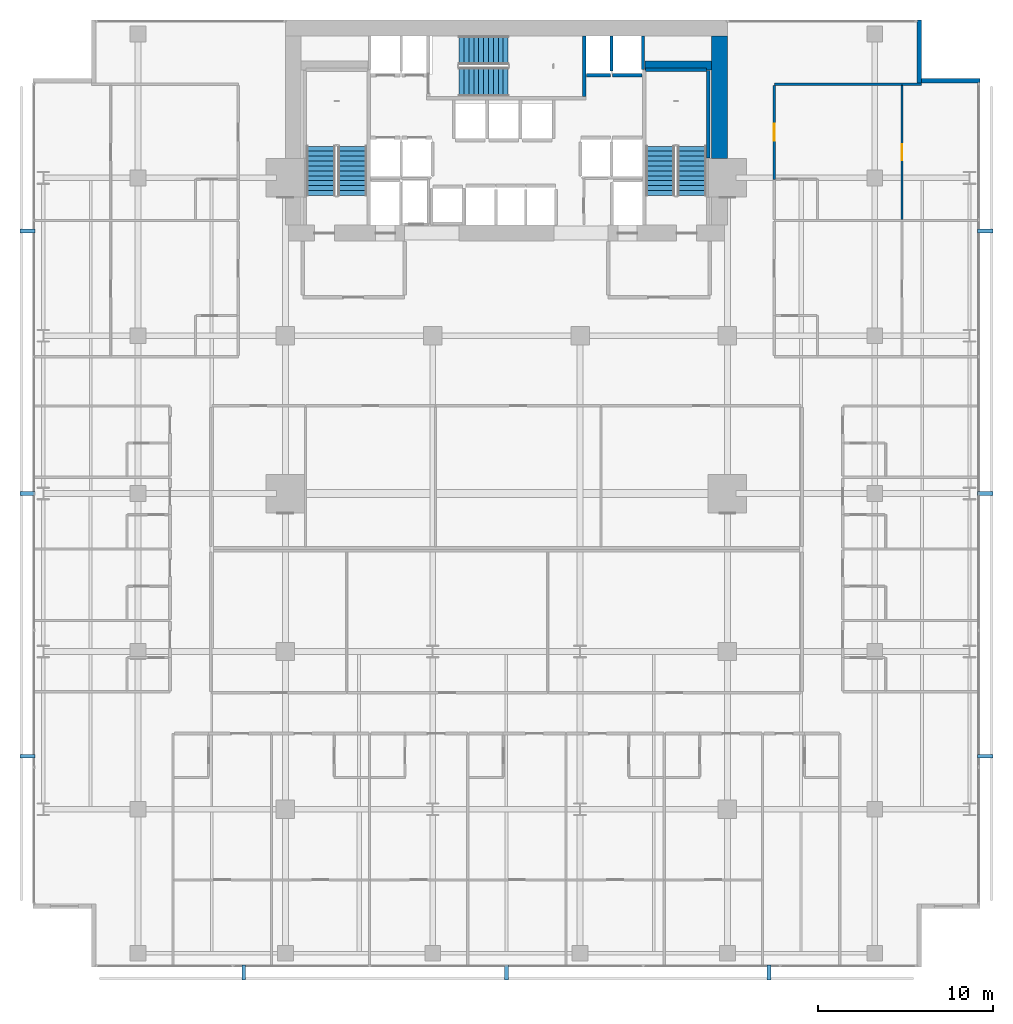
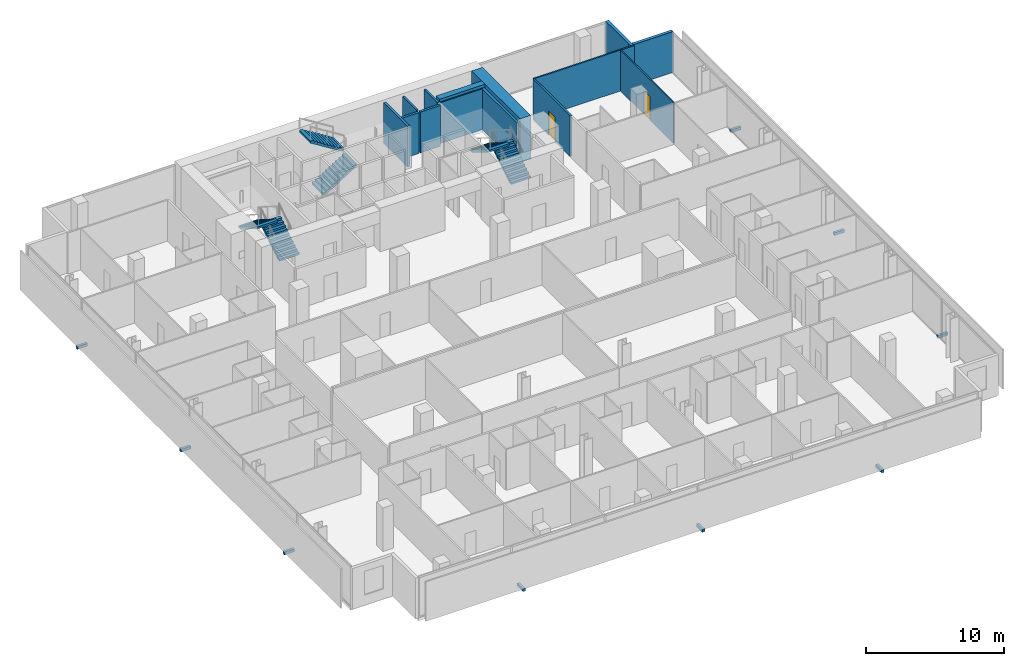
# One storey, part 38 of 40: 14 walls, 9 discrete accessories, 6 stair flights, 2 doors, 2 openings, 3 elements without a shape of their own.
"""IFC4 building model written with IfcOpenShell, lengths in metres."""

from ifc_helpers import new_model, si_unit, direction, frame, frame_2d, origin, origin_2d, place, context, subcontext, project, spatial, polyline, rectangle, outline, extrude, material, layer, layer_set, type_object, element, fill, aggregate, save


model = new_model("IFC4")

# Units and contexts
model_context = context("Model", 3, precision=1e-05, world=origin(), true_north=direction((0.0, 1.0)))
body_context = subcontext(model_context, "Body", "Model", "MODEL_VIEW")
ifc_project = project(units=[si_unit("LENGTHUNIT", "METRE"), si_unit("AREAUNIT", "SQUARE_METRE"), si_unit("VOLUMEUNIT", "CUBIC_METRE"), si_unit("PLANEANGLEUNIT", "RADIAN"), si_unit("MASSUNIT", "GRAM", prefix="KILO")], contexts=[model_context])

# Site, building, storey
site_placement = place(None, origin())
site = spatial("IfcSite", under=ifc_project, at=site_placement, CompositionType="ELEMENT")
building_placement = place(site_placement, origin())
building = spatial("IfcBuilding", under=site, at=building_placement, Name="Maruvema Waterfront Hotel and Observation Tower", CompositionType="ELEMENT")
storey_placement = place(building_placement, frame((0.0, 0.0, 57.75)))
storey = spatial("IfcBuildingStorey", under=building, at=storey_placement, Name="L13", CompositionType="ELEMENT", Elevation=57.75)

# Wall, opening, door
ifc_material_1 = material(Name="Twin-stud acoustic gypsum drywall", Category="gypsum")
ifc_layer_1 = layer(ifc_material_1, 0.14990234375, Name="Acoustic Corridor and Suite Demising Wall 150 mm")
ifc_layer_set_1 = layer_set([ifc_layer_1], Name="Twin-stud acoustic gypsum drywall")
wall_type_1 = type_object("IfcWallType", Name="Acoustic Corridor and Suite Demising Wall 150 mm", PredefinedType="PARTITIONING", material=ifc_layer_set_1)
wall_1_placement = place(storey_placement, frame((53.080078125, 44.918701171875, 0.0), z_axis=(0.0, 0.0, 1.0), x_axis=(0.0, 1.0, 0.0)))
wall_1 = element("IfcWall", 1, at=wall_1_placement, inside=storey, type_object=wall_type_1, Name="L13 Room L13-NE2 Corridor Wall 136", PredefinedType="PARTITIONING", context=body_context, shape_type="SweptSolid", body=[
    extrude(rectangle(XDim=5.35888671875, YDim=0.14990234375, at=frame_2d((2.679443359375, 0.0))), origin(), (0.0, 0.0, 1.0), 3.610107421875),
])
opening_1_placement = place(wall_1_placement, frame((2.204345703125, 0.0, 0.0)))
opening_1 = element("IfcOpeningElement", 2, at=opening_1_placement, cuts=wall_1, Name="Opening DR-095", PredefinedType="OPENING", context=body_context, shape_type="SweptSolid", body=[
    extrude(rectangle(XDim=0.949951171875, YDim=2.14990234375, at=frame_2d((0.47509765625, 1.074951171875))), frame((0.0, 0.0849609375, 0.0), z_axis=(0.0, -1.0, 0.0), x_axis=(1.0, 0.0, 0.0)), (0.0, 0.0, 1.0), 0.169921875),
])
ifc_material_2 = material(Name="Acoustic solid-core hardwood timber leaf", Category="wood")
door_type_1 = type_object("IfcDoorType", Name="Guestroom Entrance Fire Door 950x2150 mm", OperationType="NOTDEFINED", PredefinedType="DOOR", material=ifc_material_2)
door_1_placement = place(opening_1_placement, frame((0.949951171875, 0.0, 0.0), z_axis=(0.0, 0.0, 1.0), x_axis=(-1.0, 0.0, 0.0)))
door_1 = element("IfcDoor", 3, at=door_1_placement, inside=storey, type_object=door_type_1, Name="L13 Room L13-NE2 Entrance Door", OperationType="SINGLE_SWING_RIGHT", OverallHeight=2.14990234375, OverallWidth=0.949951171875, PredefinedType="DOOR", context=body_context, shape_type="SweptSolid", body=[
    extrude(rectangle(XDim=0.949951171875, YDim=2.14990234375, at=frame_2d((0.47509765625, 1.074951171875))), frame((0.0, 0.02490234375, 0.0), z_axis=(0.0, -1.0, 0.0), x_axis=(1.0, 0.0, 0.0)), (0.0, 0.0, 1.0), 0.050048828125),
])
fill(opening_1, door_1)

# Walls
ifc_material_3 = material(Name="Precast concrete C45/55", Category="concrete")
ifc_layer_2 = layer(ifc_material_3, 0.199951171875, Name="Core Shaft and Stairwell Enclosure Wall 200 mm")
ifc_layer_set_2 = layer_set([ifc_layer_2], Name="Precast concrete C45/55")
wall_type_2 = type_object("IfcWallType", Name="Core Shaft and Stairwell Enclosure Wall 200 mm", PredefinedType="SOLIDWALL", material=ifc_layer_set_2)
wall_2_placement = place(storey_placement, frame((42.25, 49.64990234375, 0.0), z_axis=(0.0, 0.0, 1.0), x_axis=(0.0, 1.0, 0.0)))
element("IfcWall", 4, at=wall_2_placement, inside=storey, type_object=wall_type_2, Name="L13 Stairwell ST-02 Shaft Wall", PredefinedType="SOLIDWALL", context=body_context, shape_type="SweptSolid", body=[
    extrude(rectangle(XDim=3.4501953125, YDim=0.199951171875, at=frame_2d((1.72509765625, 0.0))), origin(), (0.0, 0.0, 1.0), 3.610107421875),
])
wall_3_placement = place(storey_placement, frame((49.300048828125, 46.1201171875, 0.0), z_axis=(0.0, 0.0, 1.0), x_axis=(0.0, 1.0, 0.0)))
element("IfcWall", 5, at=wall_3_placement, inside=storey, type_object=wall_type_2, Name="L13 Stairwell ST-03 Shaft Lining Wall", PredefinedType="SOLIDWALL", context=body_context, shape_type="SweptSolid", body=[
    extrude(rectangle(XDim=5.0, YDim=0.199951171875, at=frame_2d((2.5, 0.0))), origin(), (0.0, 0.0, 1.0), 3.610107421875),
])
wall_4_placement = place(storey_placement, frame((45.719970703125, 51.14990234375, 0.0), z_axis=(0.0, 0.0, 1.0), x_axis=(1.0, 0.0, 0.0)))
element("IfcWall", 6, at=wall_4_placement, inside=storey, type_object=wall_type_2, Name="L13 Stairwell ST-03 Shaft Lining Wall", PredefinedType="SOLIDWALL", context=body_context, shape_type="SweptSolid", body=[
    extrude(rectangle(XDim=3.5, YDim=0.199951171875, at=frame_2d((1.75, 0.0))), origin(), (0.0, 0.0, 1.0), 3.610107421875),
])
wall_5_placement = place(storey_placement, frame((42.360107421875, 50.85009765625, 0.0), z_axis=(0.0, 0.0, 1.0), x_axis=(1.0, 0.0, 0.0)))
element("IfcWall", 7, at=wall_5_placement, inside=storey, type_object=wall_type_2, Name="L13 Lift LF-07 Hoistway Front Wall", PredefinedType="SOLIDWALL", context=body_context, shape_type="SweptSolid", body=[
    extrude(rectangle(XDim=1.3798828125, YDim=0.199951171875, at=frame_2d((0.68994140625, 0.0))), origin(), (0.0, 0.0, 1.0), 3.610107421875),
])
wall_6_placement = place(storey_placement, frame((43.860107421875, 50.85009765625, 0.0), z_axis=(0.0, 0.0, 1.0), x_axis=(1.0, 0.0, 0.0)))
element("IfcWall", 8, at=wall_6_placement, inside=storey, type_object=wall_type_2, Name="L13 Lift LF-08 Hoistway Front Wall", PredefinedType="SOLIDWALL", context=body_context, shape_type="SweptSolid", body=[
    extrude(rectangle(XDim=1.679931640625, YDim=0.199951171875, at=frame_2d((0.83984375, 0.0))), origin(), (0.0, 0.0, 1.0), 3.610107421875),
])
ifc_material_4 = material(Name="Concrete C70/85", Category="concrete")
ifc_layer_3 = layer(ifc_material_4, 0.5, Name="Core Shear Wall 500 mm")
ifc_layer_set_3 = layer_set([ifc_layer_3], Name="Concrete C70/85")
wall_type_3 = type_object("IfcWallType", Name="Core Shear Wall 500 mm", PredefinedType="SHEAR", material=ifc_layer_set_3)
wall_7_placement = place(storey_placement, frame((45.699951171875, 51.39990234375, 0.0), z_axis=(0.0, 0.0, 1.0), x_axis=(1.0, 0.0, 0.0)))
element("IfcWall", 9, at=wall_7_placement, inside=storey, type_object=wall_type_3, Name="L13 Internal Core Shear Wall NE 500 mm", PredefinedType="SHEAR", context=body_context, shape_type="SweptSolid", body=[
    extrude(rectangle(XDim=3.800048828125, YDim=0.5, at=frame_2d((1.89990234375, 0.0))), origin(), (0.0, 0.0, 1.0), 3.85009765625),
])
ifc_material_5 = material(Name="Concrete C80/95", Category="concrete")
ifc_layer_4 = layer(ifc_material_5, 0.89990234375, Name="Core Shear Wall 900 mm")
ifc_layer_set_4 = layer_set([ifc_layer_4], Name="Concrete C80/95")
wall_type_4 = type_object("IfcWallType", Name="Core Shear Wall 900 mm", PredefinedType="SHEAR", material=ifc_layer_set_4)
wall_8_placement = place(storey_placement, frame((49.949951171875, 46.10009765625, 0.0), z_axis=(0.0, 0.0, 1.0), x_axis=(0.0, 1.0, 0.0)))
element("IfcWall", 10, at=wall_8_placement, inside=storey, type_object=wall_type_4, Name="L13 East-North Core Shear Wall", PredefinedType="SHEAR", context=body_context, shape_type="SweptSolid", body=[
    extrude(rectangle(XDim=7.0, YDim=0.89990234375, at=frame_2d((3.5, 0.0))), origin(), (0.0, 0.0, 1.0), 3.85009765625),
])

# Wall, opening, door
ifc_material_6 = material(Name="Moisture-resistant cement-board drywall", Category="gypsum")
ifc_layer_5 = layer(ifc_material_6, 0.10009765625, Name="En-Suite Moisture-Resistant Partition 100 mm")
ifc_layer_set_5 = layer_set([ifc_layer_5], Name="Moisture-resistant cement-board drywall")
wall_type_5 = type_object("IfcWallType", Name="En-Suite Moisture-Resistant Partition 100 mm", PredefinedType="PARTITIONING", material=ifc_layer_set_5)
wall_9_placement = place(storey_placement, frame((60.350341796875, 42.628662109375, 0.0), z_axis=(0.0, 0.0, 1.0), x_axis=(0.0, 1.0, 0.0)))
wall_9 = element("IfcWall", 11, at=wall_9_placement, inside=storey, type_object=wall_type_5, Name="L13 Suite L13-NE2 Split 139", PredefinedType="PARTITIONING", context=body_context, shape_type="SweptSolid", body=[
    extrude(rectangle(XDim=7.64892578125, YDim=0.10009765625, at=frame_2d((3.824462890625, 0.0))), origin(), (0.0, 0.0, 1.0), 3.610107421875),
])
opening_2_placement = place(wall_9_placement, frame((3.37451171875, 0.0, 0.0)))
opening_2 = element("IfcOpeningElement", 12, at=opening_2_placement, cuts=wall_9, Name="Opening DR-090", PredefinedType="OPENING", context=body_context, shape_type="SweptSolid", body=[
    extrude(rectangle(XDim=0.89990234375, YDim=2.10009765625, at=frame_2d((0.449951171875, 1.050048828125))), frame((0.0, 0.06005859375, 0.0), z_axis=(0.0, -1.0, 0.0), x_axis=(1.0, 0.0, 0.0)), (0.0, 0.0, 1.0), 0.1201171875),
])
ifc_material_7 = material(Name="Solid-core lacquered timber leaf", Category="wood")
door_type_2 = type_object("IfcDoorType", Name="Accessible Toilet and Room Door 900x2100 mm", OperationType="NOTDEFINED", PredefinedType="DOOR", material=ifc_material_7)
door_2_placement = place(opening_2_placement, frame((0.89990234375, 0.0, 0.0), z_axis=(0.0, 0.0, 1.0), x_axis=(-1.0, 0.0, 0.0)))
door_2 = element("IfcDoor", 13, at=door_2_placement, inside=storey, type_object=door_type_2, Name="L13 Suite L13-NE2 Bedroom Door", OperationType="SINGLE_SWING_LEFT", OverallHeight=2.10009765625, OverallWidth=0.89990234375, PredefinedType="DOOR", context=body_context, shape_type="SweptSolid", body=[
    extrude(rectangle(XDim=0.89990234375, YDim=2.10009765625, at=frame_2d((0.449951171875, 1.050048828125))), frame((0.0, 0.02490234375, 0.0), z_axis=(0.0, -1.0, 0.0), x_axis=(1.0, 0.0, 0.0)), (0.0, 0.0, 1.0), 0.050048828125),
])
fill(opening_2, door_2)

# Walls
ifc_material_8 = material(Name="Precast concrete C45/55 with honed Pernambuco granite facing", Category="masonry")
ifc_layer_6 = layer(ifc_material_8, 0.260009765625, Name="Exterior Granite Clad Spandrel and Pier Wall 260 mm")
ifc_layer_set_6 = layer_set([ifc_layer_6], Name="Precast concrete C45/55 with honed Pernambuco granite facing")
wall_type_6 = type_object("IfcWallType", Name="Exterior Granite Clad Spandrel and Pier Wall 260 mm", PredefinedType="SOLIDWALL", material=ifc_layer_set_6)
for number, where, z_axis, x_axis, name in (
    (14, (61.330078125, 54.0, 0.0), (0.0, 0.0, 1.0), (0.0, -1.0, 0.0), "L13 Corner Notch Granite Pier Wall NE1"),
    (15, (61.199951171875, 50.530029296875, 0.0), (0.0, 0.0, 1.0), (1.0, 0.0, 0.0), "L13 Corner Notch Granite Pier Wall NE2"),
):
    element("IfcWall", number, at=place(storey_placement, frame(where, z_axis=z_axis, x_axis=x_axis)), inside=storey, type_object=wall_type_6, Name=name, PredefinedType="SOLIDWALL", context=body_context, shape_type="SweptSolid", body=[
        extrude(rectangle(XDim=3.60009765625, YDim=0.260009765625, at=frame_2d((1.800048828125, 0.0))), origin(), (0.0, 0.0, 1.0), 3.610107421875),
    ])
ifc_material_9 = material(Name="Acoustic gypsum plasterboard drywall", Category="gypsum")
ifc_layer_7 = layer(ifc_material_9, 0.125, Name="Guestroom Acoustic Demising Wall 125 mm")
ifc_layer_set_7 = layer_set([ifc_layer_7], Name="Acoustic gypsum plasterboard drywall")
wall_type_7 = type_object("IfcWallType", Name="Guestroom Acoustic Demising Wall 125 mm", PredefinedType="PARTITIONING", material=ifc_layer_set_7)
wall_10_placement = place(storey_placement, frame((53.080078125, 50.33740234375, 0.0), z_axis=(0.0, 0.0, 1.0), x_axis=(1.0, 0.0, 0.0)))
element("IfcWall", 16, at=wall_10_placement, inside=storey, type_object=wall_type_7, Name="L13 NE Top End 117", PredefinedType="PARTITIONING", context=body_context, shape_type="SweptSolid", body=[
    extrude(rectangle(XDim=8.3798828125, YDim=0.125, at=frame_2d((4.18994140625, 0.0))), origin(), (0.0, 0.0, 1.0), 3.610107421875),
])
ifc_material_10 = material(Name="Precast concrete C45/55", Category="concrete")
ifc_layer_8 = layer(ifc_material_10, 0.159912109375, Name="Lift Hoistway Divider Wall 160 mm")
ifc_layer_set_8 = layer_set([ifc_layer_8], Name="Precast concrete C45/55")
wall_type_8 = type_object("IfcWallType", Name="Lift Hoistway Divider Wall 160 mm", PredefinedType="SOLIDWALL", material=ifc_layer_set_8)
wall_11_placement = place(storey_placement, frame((45.590087890625, 51.179931640625, 0.0), z_axis=(0.0, 0.0, 1.0), x_axis=(0.0, 1.0, 0.0)))
element("IfcWall", 17, at=wall_11_placement, inside=storey, type_object=wall_type_8, Name="L13 Hoistway Divider Wall", PredefinedType="SOLIDWALL", context=body_context, shape_type="SweptSolid", body=[
    extrude(rectangle(XDim=1.920166015625, YDim=0.159912109375, at=frame_2d((0.9599609375, 0.0))), origin(), (0.0, 0.0, 1.0), 3.610107421875),
])
wall_12_placement = place(storey_placement, frame((43.800048828125, 51.10009765625, 0.0), z_axis=(0.0, 0.0, 1.0), x_axis=(0.0, 1.0, 0.0)))
element("IfcWall", 18, at=wall_12_placement, inside=storey, type_object=wall_type_8, Name="L13 Hoistway Divider Wall", PredefinedType="SOLIDWALL", context=body_context, shape_type="SweptSolid", body=[
    extrude(rectangle(XDim=2.0, YDim=0.159912109375, at=frame_2d((1.0, 0.0))), origin(), (0.0, 0.0, 1.0), 3.610107421875),
])

# Stair, stair flights
ifc_material_11 = material(Name="Concrete C50/60", Category="concrete")
stair_type = type_object("IfcStairType", Name="Dogleg Exit Stair 1650 mm (22R x 175.0 mm)", PredefinedType="HALF_TURN_STAIR", material=ifc_material_11)
stair_1_placement = place(storey_placement, origin())
stair_1 = element("IfcStair", 19, at=stair_1_placement, inside=storey, type_object=stair_type, Name="L13 ST-01", PredefinedType="HALF_TURN_STAIR")
ifc_material_12 = material(Name="Concrete C50/60", Category="concrete")
stair_flight_type = type_object("IfcStairFlightType", Name="Reinforced Concrete Stair Flight 1650 mm (11R x 175.0 mm)", PredefinedType="STRAIGHT", material=ifc_material_12)
stair_flight_1_placement = place(storey_placement, frame((29.02490234375, 44.0, 0.0), z_axis=(0.0, 0.0, 1.0), x_axis=(0.0, 1.0, 0.0)))
stair_flight_1 = element("IfcStairFlight", 20, at=stair_flight_1_placement, type_object=stair_flight_type, Name="ST-01 flight 1", NumberOfRisers=11, NumberOfTreads=10, PredefinedType="STRAIGHT", RiserHeight=0.175, TreadLength=0.28, context=body_context, shape_type="SweptSolid", body=[
    extrude(outline(polyline([(0.0, 0.0), (0.0, 0.175048828125), (0.280029296875, 0.175048828125), (0.280029296875, 0.35009765625), (0.56005859375, 0.35009765625), (0.56005859375, 0.52490234375), (0.840087890625, 0.52490234375), (0.840087890625, 0.699951171875), (1.1201171875, 0.699951171875), (1.1201171875, 0.875), (1.39990234375, 0.875), (1.39990234375, 1.050048828125), (1.679931640625, 1.050048828125), (1.679931640625, 1.22509765625), (1.9599609375, 1.22509765625), (1.9599609375, 1.39990234375), (2.239990234375, 1.39990234375), (2.239990234375, 1.574951171875), (2.52001953125, 1.574951171875), (2.52001953125, 1.75), (2.800048828125, 1.75), (2.800048828125, 1.925048828125), (2.800048828125, 1.5732421875), (0.28271484375, 0.0), (0.0, 0.0)])), frame((0.0, 0.824951171875, 0.0), z_axis=(0.0, -1.0, 0.0), x_axis=(1.0, 0.0, 0.0)), (0.0, 0.0, 1.0), 1.64990234375),
])
stair_flight_2_placement = place(storey_placement, frame((27.22509765625, 46.800048828125, 1.925048828125), z_axis=(0.0, 0.0, 1.0), x_axis=(0.0, -1.0, 0.0)))
stair_flight_2 = element("IfcStairFlight", 21, at=stair_flight_2_placement, type_object=stair_flight_type, Name="ST-01 flight 2", NumberOfRisers=11, NumberOfTreads=10, PredefinedType="STRAIGHT", RiserHeight=0.175, TreadLength=0.28, context=body_context, shape_type="SweptSolid", body=[
    extrude(outline(polyline([(0.0, 0.0), (0.0, 0.175048828125), (0.280029296875, 0.175048828125), (0.280029296875, 0.35009765625), (0.56005859375, 0.35009765625), (0.56005859375, 0.52490234375), (0.840087890625, 0.52490234375), (0.840087890625, 0.699951171875), (1.1201171875, 0.699951171875), (1.1201171875, 0.875), (1.39990234375, 0.875), (1.39990234375, 1.050048828125), (1.679931640625, 1.050048828125), (1.679931640625, 1.22509765625), (1.9599609375, 1.22509765625), (1.9599609375, 1.39990234375), (2.239990234375, 1.39990234375), (2.239990234375, 1.574951171875), (2.52001953125, 1.574951171875), (2.52001953125, 1.75), (2.800048828125, 1.75), (2.800048828125, 1.925048828125), (2.800048828125, 1.5732421875), (0.28271484375, 0.0), (0.0, 0.0)])), frame((0.0, 0.824951171875, 0.0), z_axis=(0.0, -1.0, 0.0), x_axis=(1.0, 0.0, 0.0)), (0.0, 0.0, 1.0), 1.64990234375),
])
aggregate(stair_1, [stair_flight_1, stair_flight_2])

stair_2_placement = place(storey_placement, origin())
stair_2 = element("IfcStair", 22, at=stair_2_placement, inside=storey, type_object=stair_type, Name="L13 ST-02", PredefinedType="HALF_TURN_STAIR")
stair_flight_3_placement = place(storey_placement, frame((35.10009765625, 50.47509765625, 0.0), z_axis=(0.0, 0.0, 1.0), x_axis=(1.0, 0.0, 0.0)))
stair_flight_3 = element("IfcStairFlight", 23, at=stair_flight_3_placement, type_object=stair_flight_type, Name="ST-02 flight 1", NumberOfRisers=11, NumberOfTreads=10, PredefinedType="STRAIGHT", RiserHeight=0.175, TreadLength=0.28, context=body_context, shape_type="SweptSolid", body=[
    extrude(outline(polyline([(0.0, 0.0), (0.0, 0.175048828125), (0.280029296875, 0.175048828125), (0.280029296875, 0.35009765625), (0.56005859375, 0.35009765625), (0.56005859375, 0.52490234375), (0.840087890625, 0.52490234375), (0.840087890625, 0.699951171875), (1.1201171875, 0.699951171875), (1.1201171875, 0.875), (1.39990234375, 0.875), (1.39990234375, 1.050048828125), (1.679931640625, 1.050048828125), (1.679931640625, 1.22509765625), (1.9599609375, 1.22509765625), (1.9599609375, 1.39990234375), (2.239990234375, 1.39990234375), (2.239990234375, 1.574951171875), (2.52001953125, 1.574951171875), (2.52001953125, 1.75), (2.800048828125, 1.75), (2.800048828125, 1.925048828125), (2.800048828125, 1.5732421875), (0.28271484375, 0.0), (0.0, 0.0)])), frame((0.0, 0.824951171875, 0.0), z_axis=(0.0, -1.0, 0.0), x_axis=(1.0, 0.0, 0.0)), (0.0, 0.0, 1.0), 1.64990234375),
])
stair_flight_4_placement = place(storey_placement, frame((37.89990234375, 52.27490234375, 1.925048828125), z_axis=(0.0, 0.0, 1.0), x_axis=(-1.0, 0.0, 0.0)))
stair_flight_4 = element("IfcStairFlight", 24, at=stair_flight_4_placement, type_object=stair_flight_type, Name="ST-02 flight 2", NumberOfRisers=11, NumberOfTreads=10, PredefinedType="STRAIGHT", RiserHeight=0.175, TreadLength=0.28, context=body_context, shape_type="SweptSolid", body=[
    extrude(outline(polyline([(0.0, 0.0), (0.0, 0.175048828125), (0.280029296875, 0.175048828125), (0.280029296875, 0.35009765625), (0.56005859375, 0.35009765625), (0.56005859375, 0.52490234375), (0.840087890625, 0.52490234375), (0.840087890625, 0.699951171875), (1.1201171875, 0.699951171875), (1.1201171875, 0.875), (1.39990234375, 0.875), (1.39990234375, 1.050048828125), (1.679931640625, 1.050048828125), (1.679931640625, 1.22509765625), (1.9599609375, 1.22509765625), (1.9599609375, 1.39990234375), (2.239990234375, 1.39990234375), (2.239990234375, 1.574951171875), (2.52001953125, 1.574951171875), (2.52001953125, 1.75), (2.800048828125, 1.75), (2.800048828125, 1.925048828125), (2.800048828125, 1.5732421875), (0.28271484375, 0.0), (0.0, 0.0)])), frame((0.0, 0.824951171875, 0.0), z_axis=(0.0, -1.0, 0.0), x_axis=(1.0, 0.0, 0.0)), (0.0, 0.0, 1.0), 1.64990234375),
])
aggregate(stair_2, [stair_flight_3, stair_flight_4])

stair_3_placement = place(storey_placement, origin())
stair_3 = element("IfcStair", 25, at=stair_3_placement, inside=storey, type_object=stair_type, Name="L13 ST-03", PredefinedType="HALF_TURN_STAIR")
stair_flight_5_placement = place(storey_placement, frame((48.375, 44.0, 0.0), z_axis=(0.0, 0.0, 1.0), x_axis=(0.0, 1.0, 0.0)))
stair_flight_5 = element("IfcStairFlight", 26, at=stair_flight_5_placement, type_object=stair_flight_type, Name="ST-03 flight 1", NumberOfRisers=11, NumberOfTreads=10, PredefinedType="STRAIGHT", RiserHeight=0.175, TreadLength=0.28, context=body_context, shape_type="SweptSolid", body=[
    extrude(outline(polyline([(0.0, 0.0), (0.0, 0.175048828125), (0.280029296875, 0.175048828125), (0.280029296875, 0.35009765625), (0.56005859375, 0.35009765625), (0.56005859375, 0.52490234375), (0.840087890625, 0.52490234375), (0.840087890625, 0.699951171875), (1.1201171875, 0.699951171875), (1.1201171875, 0.875), (1.39990234375, 0.875), (1.39990234375, 1.050048828125), (1.679931640625, 1.050048828125), (1.679931640625, 1.22509765625), (1.9599609375, 1.22509765625), (1.9599609375, 1.39990234375), (2.239990234375, 1.39990234375), (2.239990234375, 1.574951171875), (2.52001953125, 1.574951171875), (2.52001953125, 1.75), (2.800048828125, 1.75), (2.800048828125, 1.925048828125), (2.800048828125, 1.5732421875), (0.28271484375, 0.0), (0.0, 0.0)])), frame((0.0, 0.824951171875, 0.0), z_axis=(0.0, -1.0, 0.0), x_axis=(1.0, 0.0, 0.0)), (0.0, 0.0, 1.0), 1.64990234375),
])
stair_flight_6_placement = place(storey_placement, frame((46.574951171875, 46.800048828125, 1.925048828125), z_axis=(0.0, 0.0, 1.0), x_axis=(0.0, -1.0, 0.0)))
stair_flight_6 = element("IfcStairFlight", 27, at=stair_flight_6_placement, type_object=stair_flight_type, Name="ST-03 flight 2", NumberOfRisers=11, NumberOfTreads=10, PredefinedType="STRAIGHT", RiserHeight=0.175, TreadLength=0.28, context=body_context, shape_type="SweptSolid", body=[
    extrude(outline(polyline([(0.0, 0.0), (0.0, 0.175048828125), (0.280029296875, 0.175048828125), (0.280029296875, 0.35009765625), (0.56005859375, 0.35009765625), (0.56005859375, 0.52490234375), (0.840087890625, 0.52490234375), (0.840087890625, 0.699951171875), (1.1201171875, 0.699951171875), (1.1201171875, 0.875), (1.39990234375, 0.875), (1.39990234375, 1.050048828125), (1.679931640625, 1.050048828125), (1.679931640625, 1.22509765625), (1.9599609375, 1.22509765625), (1.9599609375, 1.39990234375), (2.239990234375, 1.39990234375), (2.239990234375, 1.574951171875), (2.52001953125, 1.574951171875), (2.52001953125, 1.75), (2.800048828125, 1.75), (2.800048828125, 1.925048828125), (2.800048828125, 1.5732421875), (0.28271484375, 0.0), (0.0, 0.0)])), frame((0.0, 0.824951171875, 0.0), z_axis=(0.0, -1.0, 0.0), x_axis=(1.0, 0.0, 0.0)), (0.0, 0.0, 1.0), 1.64990234375),
])
aggregate(stair_3, [stair_flight_5, stair_flight_6])

# Discrete accessories
ifc_material_13 = material(Name="Duplex stainless steel Grade 2205", Category="steel")
discrete_accessory_type = type_object("IfcDiscreteAccessoryType", Name="Double-Skin Cavity Stainless Outrigger Bracket", PredefinedType="BRACKET", material=ifc_material_13)
for number, where, z_axis, x_axis, name in (
    (28, (22.823974609375, -0.300048828125, -0.14013671875), (0.0, 0.0, 1.0), (1.0, 0.0, 0.0), "L13 Outer Skin Support Bracket 1"),
    (29, (37.800048828125, -0.300048828125, -0.14013671875), (0.0, 0.0, 1.0), (1.0, 0.0, 0.0), "L13 Outer Skin Support Bracket 2"),
    (30, (52.77587890625, -0.300048828125, -0.14013671875), (0.0, 0.0, 1.0), (1.0, 0.0, 0.0), "L13 Outer Skin Support Bracket 3"),
    (31, (65.10009765625, 12.02392578125, -0.14013671875), (0.0, 0.0, 1.0), (0.0, 1.0, 0.0), "L13 Outer Skin Support Bracket 1"),
    (32, (65.10009765625, 27.0, -0.14013671875), (0.0, 0.0, 1.0), (0.0, 1.0, 0.0), "L13 Outer Skin Support Bracket 2"),
    (33, (65.10009765625, 41.97607421875, -0.14013671875), (0.0, 0.0, 1.0), (0.0, 1.0, 0.0), "L13 Outer Skin Support Bracket 3"),
    (34, (10.5, 41.97607421875, -0.14013671875), (0.0, 0.0, 1.0), (0.0, -1.0, 0.0), "L13 Outer Skin Support Bracket 1"),
    (35, (10.5, 27.0, -0.14013671875), (0.0, 0.0, 1.0), (0.0, -1.0, 0.0), "L13 Outer Skin Support Bracket 2"),
    (36, (10.5, 12.02392578125, -0.14013671875), (0.0, 0.0, 1.0), (0.0, -1.0, 0.0), "L13 Outer Skin Support Bracket 3"),
):
    element("IfcDiscreteAccessory", number, at=place(storey_placement, frame(where, z_axis=z_axis, x_axis=x_axis)), inside=storey, type_object=discrete_accessory_type, Name=name, PredefinedType="BRACKET", context=body_context, shape_type="SweptSolid", body=[
        extrude(rectangle(XDim=0.219970703125, YDim=0.860107421875, at=origin_2d()), origin(), (0.0, 0.0, 1.0), 0.239990234375),
    ])

save(model, "model.ifc")
